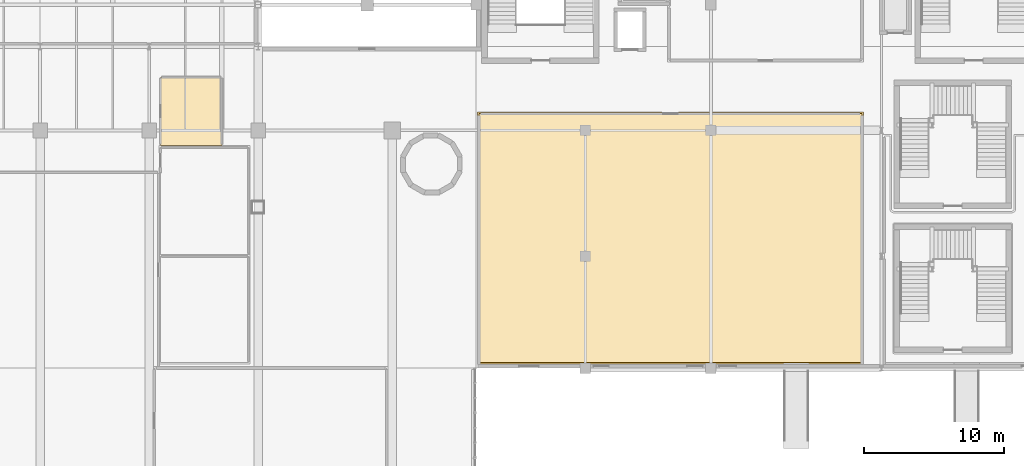
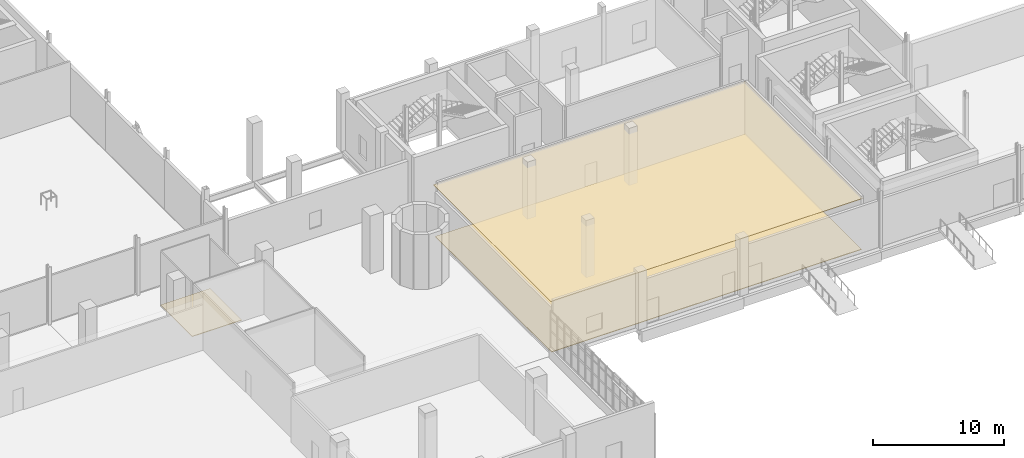
# One storey, part 53 of 57: 3 coverings.
"""IFC4 building model written with IfcOpenShell, lengths in metres."""

from ifc_helpers import new_model, si_unit, derived_unit, direction, frame, origin, place, context, subcontext, project, spatial, polyline, outline, extrude, material, layer, layer_set, type_object, element, save


model = new_model("IFC4")

# Units and contexts
model_context = context("Model", 3, precision=1e-05, world=origin(), true_north=direction((0.0, 1.0)))
body_context = subcontext(model_context, "Body", "Model", "MODEL_VIEW")
ifc_project = project(units=[si_unit("LENGTHUNIT", "METRE"), si_unit("AREAUNIT", "SQUARE_METRE"), si_unit("VOLUMEUNIT", "CUBIC_METRE"), si_unit("PLANEANGLEUNIT", "RADIAN"), si_unit("MASSUNIT", "GRAM", prefix="KILO"), derived_unit("THERMALTRANSMITTANCEUNIT", [(si_unit("POWERUNIT", "WATT"), 1), (si_unit("LENGTHUNIT", "METRE"), -2), (si_unit("THERMODYNAMICTEMPERATUREUNIT", "KELVIN"), -1)])], contexts=[model_context])

# Site, building, storey
site_placement = place(None, origin())
site = spatial("IfcSite", under=ifc_project, at=site_placement, CompositionType="ELEMENT")
building_placement = place(site_placement, origin())
building = spatial("IfcBuilding", under=site, at=building_placement, Name="Nallur Shell Playhouse", CompositionType="ELEMENT")
storey_placement = place(building_placement, origin())
storey = spatial("IfcBuildingStorey", under=building, at=storey_placement, Name="L01", CompositionType="ELEMENT", Elevation=0.0)

# Coverings
ifc_material_1 = material(Name="Micro-Perforated Teak Veneer Acoustic Baffle Ceiling")
ifc_layer_1 = layer(ifc_material_1, 0.044921875)
ifc_layer_set_1 = layer_set([ifc_layer_1], Name="Micro-Perforated Teak Veneer Acoustic Baffle Ceiling")
covering_type_1 = type_object("IfcCoveringType", Name="CV-CEIL-AC1", PredefinedType="CEILING", material=ifc_layer_set_1)
covering_1_placement = place(storey_placement, frame((0.0, 0.0, 4.804931640625)))
element("IfcCovering", 1, at=covering_1_placement, inside=storey, type_object=covering_type_1, Name="Monsoon Courtyard Arts Cafe suspended acoustic ceiling", PredefinedType="CEILING", context=body_context, shape_type="SweptSolid", body=[
    extrude(outline(polyline([(146.31005859375, 42.31005859375), (146.31005859375, 24.2900390625), (118.68994140625, 24.2900390625), (118.68994140625, 42.31005859375), (146.31005859375, 42.31005859375)])), origin(), (0.0, 0.0, 1.0), 0.045166015625),
])
ifc_material_2 = material(Name="Polished Chettinad Oxide & White Marble Terrazzo Flooring", Category="masonry")
ifc_layer_2 = layer(ifc_material_2, 0.050048828125)
ifc_layer_set_2 = layer_set([ifc_layer_2], Name="Polished Chettinad Oxide & White Marble Terrazzo Flooring")
covering_type_2 = type_object("IfcCoveringType", Name="CV-FLOR-TERRAZZO", PredefinedType="FLOORING", material=ifc_layer_set_2)
covering_2_placement = place(storey_placement, origin())
element("IfcCovering", 2, at=covering_2_placement, inside=storey, type_object=covering_type_2, Name="Monsoon Courtyard Arts Cafe floor finish", PredefinedType="FLOORING", context=body_context, shape_type="SweptSolid", body=[
    extrude(outline(polyline([(146.199951171875, 42.199951171875), (146.199951171875, 24.39990234375), (118.800048828125, 24.39990234375), (118.800048828125, 42.199951171875), (146.199951171875, 42.199951171875)])), origin(), (0.0, 0.0, 1.0), 0.050048828125),
])
covering_3_placement = place(storey_placement, origin())
element("IfcCovering", 3, at=covering_3_placement, inside=storey, type_object=covering_type_2, Name="Main Foyer Accessible Restroom floor finish", PredefinedType="FLOORING", context=body_context, shape_type="SweptSolid", body=[
    extrude(outline(polyline([(100.39990234375, 39.93994140625), (96.02001953125, 39.93994140625), (96.02001953125, 44.800048828125), (100.39990234375, 44.800048828125), (100.39990234375, 39.93994140625)])), origin(), (0.0, 0.0, 1.0), 0.050048828125),
])

save(model, "model.ifc")
